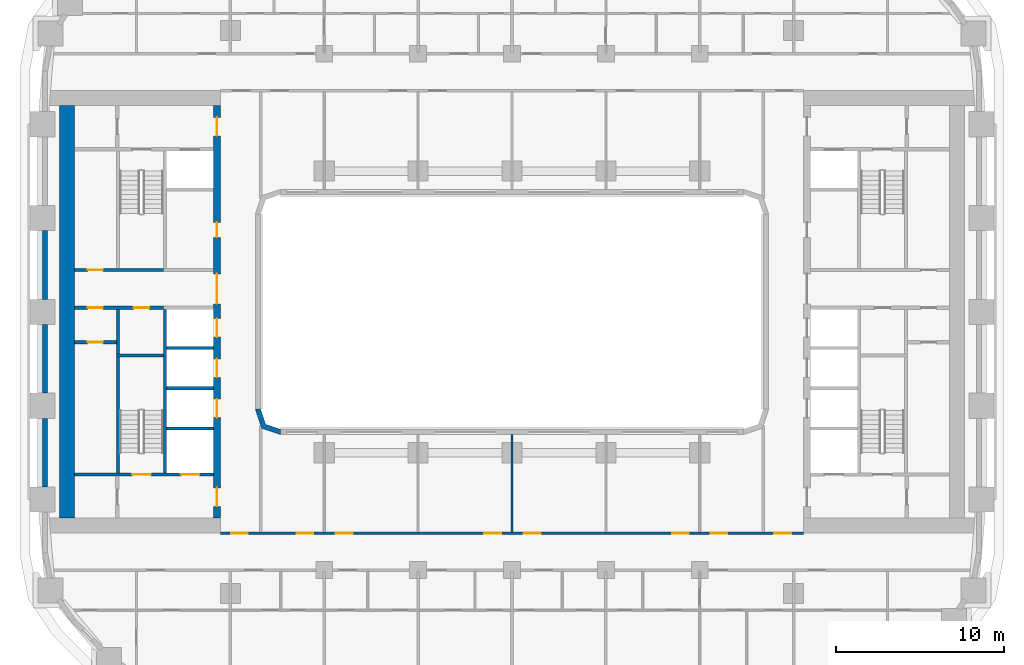
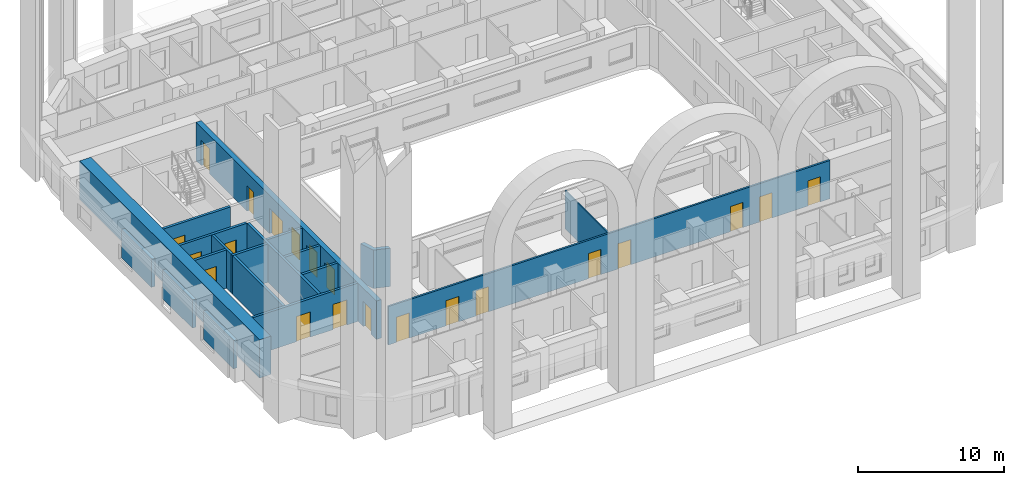
# One storey, part 4 of 21: 21 doors, 19 walls, 21 openings.
"""IFC4 building model written with IfcOpenShell, lengths in metres."""

from ifc_helpers import new_model, si_unit, direction, frame, frame_2d, origin, place, context, subcontext, project, spatial, polyline, rectangle, outline, extrude, material, layer, layer_set, type_object, element, fill, save


model = new_model("IFC4")

# Units and contexts
model_context = context("Model", 3, precision=1e-05, world=origin(), true_north=direction((0.0, 1.0)))
body_context = subcontext(model_context, "Body", "Model", "MODEL_VIEW")
ifc_project = project(units=[si_unit("LENGTHUNIT", "METRE"), si_unit("AREAUNIT", "SQUARE_METRE"), si_unit("VOLUMEUNIT", "CUBIC_METRE"), si_unit("PLANEANGLEUNIT", "RADIAN"), si_unit("MASSUNIT", "GRAM", prefix="KILO")], contexts=[model_context])

# Site, building, storey
site_placement = place(None, origin())
site = spatial("IfcSite", under=ifc_project, at=site_placement, CompositionType="ELEMENT")
building_placement = place(site_placement, origin())
building = spatial("IfcBuilding", under=site, at=building_placement, Name="Kiln Ring Residences", CompositionType="ELEMENT")
storey_placement = place(building_placement, frame((0.0, 0.0, 30.5)))
storey = spatial("IfcBuildingStorey", under=building, at=storey_placement, Name="L06", CompositionType="ELEMENT", Elevation=30.5)

# Wall
ifc_material_1 = material(Name="Gypsum board on steel studs", Category="steel")
ifc_layer_1 = layer(ifc_material_1, 0.199951171875)
ifc_layer_set_1 = layer_set([ifc_layer_1], Name="CORE-PARTITION-200")
wall_type_1 = type_object("IfcWallType", Name="CORE-PARTITION-200", PredefinedType="PARTITIONING", material=ifc_layer_set_1)
wall_1_placement = place(storey_placement, frame((-23.5, -2.5, 0.0), z_axis=(0.0, 0.0, 1.0), x_axis=(0.0, 1.0, 0.0)))
element("IfcWall", 1, at=wall_1_placement, inside=storey, type_object=wall_type_1, Name="Core partition west L06 1", PredefinedType="PARTITIONING", context=body_context, shape_type="SweptSolid", body=[
    extrude(rectangle(XDim=2.64990234375, YDim=0.199951171875, at=frame_2d((1.324951171875, 0.0))), origin(), (0.0, 0.0, 1.0), 3.199951171875),
])

# Wall, openings, doors
wall_2_placement = place(storey_placement, frame((-20.800048828125, 0.25, 0.0), z_axis=(0.0, 0.0, 1.0), x_axis=(-1.0, 0.0, 0.0)))
wall_2 = element("IfcWall", 2, at=wall_2_placement, inside=storey, type_object=wall_type_1, Name="Core partition west L06 2", PredefinedType="PARTITIONING", context=body_context, shape_type="SweptSolid", body=[
    extrude(rectangle(XDim=5.300048828125, YDim=0.199951171875, at=frame_2d((2.64990234375, 0.0))), origin(), (0.0, 0.0, 1.0), 3.199951171875),
])
opening_1_placement = place(wall_2_placement, frame((0.85009765625, 0.0, 0.0)))
opening_1 = element("IfcOpeningElement", 3, at=opening_1_placement, cuts=wall_2, Name="Opening L06-CW14", PredefinedType="OPENING", context=body_context, shape_type="SweptSolid", body=[
    extrude(rectangle(XDim=0.89990234375, YDim=2.10009765625, at=frame_2d((0.449951171875, 1.050048828125))), frame((0.0, 0.10986328125, 0.0), z_axis=(0.0, -1.0, 0.0), x_axis=(1.0, 0.0, 0.0)), (0.0, 0.0, 1.0), 0.219970703125),
])
opening_2_placement = place(wall_2_placement, frame((3.60009765625, 0.0, 0.0)))
opening_2 = element("IfcOpeningElement", 4, at=opening_2_placement, cuts=wall_2, Name="Opening L06-CW16", PredefinedType="OPENING", context=body_context, shape_type="SweptSolid", body=[
    extrude(rectangle(XDim=0.89990234375, YDim=2.10009765625, at=frame_2d((0.449951171875, 1.050048828125))), frame((0.0, 0.10986328125, 0.0), z_axis=(0.0, -1.0, 0.0), x_axis=(1.0, 0.0, 0.0)), (0.0, 0.0, 1.0), 0.219970703125),
])
ifc_material_2 = material(Name="Steel door leaf", Category="steel")
door_type_1 = type_object("IfcDoorType", Name="CORE-DOOR-ROOM", OperationType="SINGLE_SWING_LEFT", PredefinedType="DOOR", material=ifc_material_2)
door_1_placement = place(opening_1_placement, origin())
door_1 = element("IfcDoor", 5, at=door_1_placement, inside=storey, type_object=door_type_1, Name="Linen store L06-CW14", OperationType="SINGLE_SWING_RIGHT", OverallHeight=2.10009765625, OverallWidth=0.89990234375, PredefinedType="DOOR", context=body_context, shape_type="SweptSolid", body=[
    extrude(rectangle(XDim=0.89990234375, YDim=2.10009765625, at=frame_2d((0.449951171875, 1.050048828125))), frame((0.0, 0.02490234375, 0.0), z_axis=(0.0, -1.0, 0.0), x_axis=(1.0, 0.0, 0.0)), (0.0, 0.0, 1.0), 0.050048828125),
])
fill(opening_1, door_1)
door_2_placement = place(opening_2_placement, origin())
door_2 = element("IfcDoor", 6, at=door_2_placement, inside=storey, type_object=door_type_1, Name="Pump and valve room L06-CW16", OperationType="SINGLE_SWING_RIGHT", OverallHeight=2.10009765625, OverallWidth=0.89990234375, PredefinedType="DOOR", context=body_context, shape_type="SweptSolid", body=[
    extrude(rectangle(XDim=0.89990234375, YDim=2.10009765625, at=frame_2d((0.449951171875, 1.050048828125))), frame((0.0, 0.02490234375, 0.0), z_axis=(0.0, -1.0, 0.0), x_axis=(1.0, 0.0, 0.0)), (0.0, 0.0, 1.0), 0.050048828125),
])
fill(opening_2, door_2)

# Wall, opening, door
wall_3_placement = place(storey_placement, frame((-23.60009765625, -1.800048828125, 0.0), z_axis=(0.0, 0.0, 1.0), x_axis=(-1.0, 0.0, 0.0)))
wall_3 = element("IfcWall", 7, at=wall_3_placement, inside=storey, type_object=wall_type_1, Name="Core partition west L06 5", PredefinedType="PARTITIONING", context=body_context, shape_type="SweptSolid", body=[
    extrude(rectangle(XDim=2.5, YDim=0.199951171875, at=frame_2d((1.25, 0.0))), origin(), (0.0, 0.0, 1.0), 3.199951171875),
])
opening_3_placement = place(wall_3_placement, frame((0.800048828125, 0.0, 0.0)))
opening_3 = element("IfcOpeningElement", 8, at=opening_3_placement, cuts=wall_3, Name="Opening L06-CW15", PredefinedType="OPENING", context=body_context, shape_type="SweptSolid", body=[
    extrude(rectangle(XDim=0.89990234375, YDim=2.10009765625, at=frame_2d((0.449951171875, 1.050048828125))), frame((0.0, 0.10986328125, 0.0), z_axis=(0.0, -1.0, 0.0), x_axis=(1.0, 0.0, 0.0)), (0.0, 0.0, 1.0), 0.219970703125),
])
door_3_placement = place(opening_3_placement, origin())
door_3 = element("IfcDoor", 9, at=door_3_placement, inside=storey, type_object=door_type_1, Name="Pump and valve room L06-CW15", OperationType="SINGLE_SWING_RIGHT", OverallHeight=2.10009765625, OverallWidth=0.89990234375, PredefinedType="DOOR", context=body_context, shape_type="SweptSolid", body=[
    extrude(rectangle(XDim=0.89990234375, YDim=2.10009765625, at=frame_2d((0.449951171875, 1.050048828125))), frame((0.0, 0.02490234375, 0.0), z_axis=(0.0, -1.0, 0.0), x_axis=(1.0, 0.0, 0.0)), (0.0, 0.0, 1.0), 0.050048828125),
])
fill(opening_3, door_3)

# Walls
ifc_material_3 = material(Name="Gypsum shaft wall system")
ifc_layer_2 = layer(ifc_material_3, 0.199951171875)
ifc_layer_set_2 = layer_set([ifc_layer_2], Name="CORE-SHAFT-WALL-200")
wall_type_2 = type_object("IfcWallType", Name="CORE-SHAFT-WALL-200", PredefinedType="PARTITIONING", material=ifc_layer_set_2)
for number, where, z_axis, x_axis, name in (
    (10, (-17.800048828125, -6.949951171875, 0.0), (0.0, 0.0, 1.0), (-1.0, 0.0, 0.0), "Core partition west L06 6"),
    (11, (-17.800048828125, -4.550048828125, 0.0), (0.0, 0.0, 1.0), (-1.0, 0.0, 0.0), "Core partition west L06 7"),
    (12, (-17.800048828125, -2.14990234375, 0.0), (0.0, 0.0, 1.0), (-1.0, 0.0, 0.0), "Core partition west L06 8"),
):
    element("IfcWall", number, at=place(storey_placement, frame(where, z_axis=z_axis, x_axis=x_axis)), inside=storey, type_object=wall_type_2, Name=name, PredefinedType="PARTITIONING", context=body_context, shape_type="SweptSolid", body=[
        extrude(rectangle(XDim=2.800048828125, YDim=0.199951171875, at=frame_2d((1.39990234375, 0.0))), origin(), (0.0, 0.0, 1.0), 3.199951171875),
    ])
ifc_material_4 = material(Name="Concrete C40/50", Category="concrete")
ifc_layer_3 = layer(ifc_material_4, 0.199951171875)
ifc_layer_set_3 = layer_set([ifc_layer_3], Name="CORE-WALL-RC200")
wall_type_3 = type_object("IfcWallType", Name="CORE-WALL-RC200", PredefinedType="SHEAR", material=ifc_layer_set_3)
wall_4_placement = place(storey_placement, frame((-20.699951171875, -9.60009765625, 0.0), z_axis=(0.0, 0.0, 1.0), x_axis=(0.0, 1.0, 0.0)))
element("IfcWall", 13, at=wall_4_placement, inside=storey, type_object=wall_type_3, Name="Core wall west L06 2", PredefinedType="SHEAR", context=body_context, shape_type="SweptSolid", body=[
    extrude(rectangle(XDim=9.75, YDim=0.199951171875, at=frame_2d((4.875, 0.0))), origin(), (0.0, 0.0, 1.0), 3.199951171875),
])

# Wall, opening, door
wall_5_placement = place(storey_placement, frame((-20.800048828125, 2.5, 0.0), z_axis=(0.0, 0.0, 1.0), x_axis=(-1.0, 0.0, 0.0)))
wall_5 = element("IfcWall", 14, at=wall_5_placement, inside=storey, type_object=wall_type_3, Name="Core wall west L06 3", PredefinedType="SHEAR", context=body_context, shape_type="SweptSolid", body=[
    extrude(rectangle(XDim=5.300048828125, YDim=0.199951171875, at=frame_2d((2.64990234375, 0.0))), origin(), (0.0, 0.0, 1.0), 3.199951171875),
])
opening_4_placement = place(wall_5_placement, frame((3.60009765625, 0.0, 0.0)))
opening_4 = element("IfcOpeningElement", 15, at=opening_4_placement, cuts=wall_5, Name="Opening L06-CW17", PredefinedType="OPENING", context=body_context, shape_type="SweptSolid", body=[
    extrude(rectangle(XDim=0.89990234375, YDim=2.10009765625, at=frame_2d((0.449951171875, 1.050048828125))), frame((0.0, 0.10986328125, 0.0), z_axis=(0.0, -1.0, 0.0), x_axis=(1.0, 0.0, 0.0)), (0.0, 0.0, 1.0), 0.219970703125),
])
door_4_placement = place(opening_4_placement, origin())
door_4 = element("IfcDoor", 16, at=door_4_placement, inside=storey, type_object=door_type_1, Name="Electrical plant room L06-CW17", OperationType="SINGLE_SWING_RIGHT", OverallHeight=2.10009765625, OverallWidth=0.89990234375, PredefinedType="DOOR", context=body_context, shape_type="SweptSolid", body=[
    extrude(rectangle(XDim=0.89990234375, YDim=2.10009765625, at=frame_2d((0.449951171875, 1.050048828125))), frame((0.0, 0.02490234375, 0.0), z_axis=(0.0, -1.0, 0.0), x_axis=(1.0, 0.0, 0.0)), (0.0, 0.0, 1.0), 0.050048828125),
])
fill(opening_4, door_4)

# Wall, openings, doors
wall_6_placement = place(storey_placement, frame((-17.800048828125, -9.699951171875, 0.0), z_axis=(0.0, 0.0, 1.0), x_axis=(-1.0, 0.0, 0.0)))
wall_6 = element("IfcWall", 17, at=wall_6_placement, inside=storey, type_object=wall_type_3, Name="Core wall west L06 8", PredefinedType="SHEAR", context=body_context, shape_type="SweptSolid", body=[
    extrude(rectangle(XDim=8.300048828125, YDim=0.199951171875, at=frame_2d((4.14990234375, 0.0))), origin(), (0.0, 0.0, 1.0), 3.199951171875),
])
opening_5_placement = place(wall_6_placement, frame((0.85009765625, 0.0, 0.0)))
opening_5 = element("IfcOpeningElement", 18, at=opening_5_placement, cuts=wall_6, Name="Opening L06-CW01", PredefinedType="OPENING", context=body_context, shape_type="SweptSolid", body=[
    extrude(rectangle(XDim=1.10009765625, YDim=2.10009765625, at=frame_2d((0.550048828125, 1.050048828125))), frame((0.0, 0.10986328125, 0.0), z_axis=(0.0, -1.0, 0.0), x_axis=(1.0, 0.0, 0.0)), (0.0, 0.0, 1.0), 0.219970703125),
])
opening_6_placement = place(wall_6_placement, frame((3.75, 0.0, 0.0)))
opening_6 = element("IfcOpeningElement", 19, at=opening_6_placement, cuts=wall_6, Name="Opening L06-CW12", PredefinedType="OPENING", context=body_context, shape_type="SweptSolid", body=[
    extrude(rectangle(XDim=1.10009765625, YDim=2.10009765625, at=frame_2d((0.550048828125, 1.050048828125))), frame((0.0, 0.10986328125, 0.0), z_axis=(0.0, -1.0, 0.0), x_axis=(1.0, 0.0, 0.0)), (0.0, 0.0, 1.0), 0.219970703125),
])
ifc_material_5 = material(Name="Steel door leaf", Category="steel")
door_type_2 = type_object("IfcDoorType", Name="CORE-DOOR-LD", OperationType="DOUBLE_DOOR_SLIDING", PredefinedType="DOOR", material=ifc_material_5)
door_5_placement = place(opening_5_placement, origin())
door_5 = element("IfcDoor", 20, at=door_5_placement, inside=storey, type_object=door_type_2, Name="LD W-SV L06-CW01", OperationType="DOUBLE_DOOR_SLIDING", OverallHeight=2.10009765625, OverallWidth=1.10009765625, PredefinedType="DOOR", context=body_context, shape_type="SweptSolid", body=[
    extrude(rectangle(XDim=1.10009765625, YDim=2.10009765625, at=frame_2d((0.550048828125, 1.050048828125))), frame((0.0, 0.02490234375, 0.0), z_axis=(0.0, -1.0, 0.0), x_axis=(1.0, 0.0, 0.0)), (0.0, 0.0, 1.0), 0.050048828125),
])
fill(opening_5, door_5)
ifc_material_6 = material(Name="Steel door leaf", Category="steel")
door_type_3 = type_object("IfcDoorType", Name="CORE-DOOR-STAIR", OperationType="SINGLE_SWING_LEFT", PredefinedType="DOOR", material=ifc_material_6)
door_6_placement = place(opening_6_placement, origin())
door_6 = element("IfcDoor", 21, at=door_6_placement, inside=storey, type_object=door_type_3, Name="Stair W-STS L06-CW12", OperationType="SINGLE_SWING_LEFT", OverallHeight=2.10009765625, OverallWidth=1.10009765625, PredefinedType="DOOR", context=body_context, shape_type="SweptSolid", body=[
    extrude(rectangle(XDim=1.10009765625, YDim=2.10009765625, at=frame_2d((0.550048828125, 1.050048828125))), frame((0.0, 0.02490234375, 0.0), z_axis=(0.0, -1.0, 0.0), x_axis=(1.0, 0.0, 0.0)), (0.0, 0.0, 1.0), 0.050048828125),
])
fill(opening_6, door_6)

# Walls
wall_7_placement = place(storey_placement, frame((-23.5, -9.60009765625, 0.0), z_axis=(0.0, 0.0, 1.0), x_axis=(0.0, 1.0, 0.0)))
element("IfcWall", 22, at=wall_7_placement, inside=storey, type_object=wall_type_3, Name="Core wall west L06 11", PredefinedType="SHEAR", context=body_context, shape_type="SweptSolid", body=[
    extrude(rectangle(XDim=6.900146484375, YDim=0.199951171875, at=frame_2d((3.4501953125, 0.0))), origin(), (0.0, 0.0, 1.0), 3.199951171875),
])
wall_8_placement = place(storey_placement, frame((-20.800048828125, -2.60009765625, 0.0), z_axis=(0.0, 0.0, 1.0), x_axis=(-1.0, 0.0, 0.0)))
element("IfcWall", 23, at=wall_8_placement, inside=storey, type_object=wall_type_3, Name="Core wall west L06 12", PredefinedType="SHEAR", context=body_context, shape_type="SweptSolid", body=[
    extrude(rectangle(XDim=2.800048828125, YDim=0.199951171875, at=frame_2d((1.39990234375, 0.0))), origin(), (0.0, 0.0, 1.0), 3.199951171875),
])

# Wall, openings, doors
ifc_material_7 = material(Name="Concrete C60/75", Category="concrete")
ifc_layer_4 = layer(ifc_material_7, 0.39990234375)
ifc_layer_set_4 = layer_set([ifc_layer_4], Name="CORE-WALL-RC400")
wall_type_4 = type_object("IfcWallType", Name="CORE-WALL-RC400", PredefinedType="SHEAR", material=ifc_layer_set_4)
wall_9_placement = place(storey_placement, frame((-17.60009765625, -12.300048828125, 0.0), z_axis=(0.0, 0.0, 1.0), x_axis=(0.0, 1.0, 0.0)))
wall_9 = element("IfcWall", 24, at=wall_9_placement, inside=storey, type_object=wall_type_4, Name="Core wall west L06 6", PredefinedType="SHEAR", context=body_context, shape_type="SweptSolid", body=[
    extrude(rectangle(XDim=24.60009765625, YDim=0.39990234375, at=frame_2d((12.300048828125, 0.0))), origin(), (0.0, 0.0, 1.0), 3.199951171875),
])
opening_7_placement = place(wall_9_placement, frame((6.0, 0.0, 0.0)))
opening_7 = element("IfcOpeningElement", 25, at=opening_7_placement, cuts=wall_9, Name="Opening L06-CW02", PredefinedType="OPENING", context=body_context, shape_type="SweptSolid", body=[
    extrude(rectangle(XDim=1.10009765625, YDim=2.10009765625, at=frame_2d((0.550048828125, 1.050048828125))), frame((0.0, 0.2099609375, 0.0), z_axis=(0.0, -1.0, 0.0), x_axis=(1.0, 0.0, 0.0)), (0.0, 0.0, 1.0), 0.419921875),
])
opening_8_placement = place(wall_9_placement, frame((8.39990234375, 0.0, 0.0)))
opening_8 = element("IfcOpeningElement", 26, at=opening_8_placement, cuts=wall_9, Name="Opening L06-CW03", PredefinedType="OPENING", context=body_context, shape_type="SweptSolid", body=[
    extrude(rectangle(XDim=1.10009765625, YDim=2.10009765625, at=frame_2d((0.550048828125, 1.050048828125))), frame((0.0, 0.2099609375, 0.0), z_axis=(0.0, -1.0, 0.0), x_axis=(1.0, 0.0, 0.0)), (0.0, 0.0, 1.0), 0.419921875),
])
opening_9_placement = place(wall_9_placement, frame((10.800048828125, 0.0, 0.0)))
opening_9 = element("IfcOpeningElement", 27, at=opening_9_placement, cuts=wall_9, Name="Opening L06-CW04", PredefinedType="OPENING", context=body_context, shape_type="SweptSolid", body=[
    extrude(rectangle(XDim=1.10009765625, YDim=2.10009765625, at=frame_2d((0.550048828125, 1.050048828125))), frame((0.0, 0.2099609375, 0.0), z_axis=(0.0, -1.0, 0.0), x_axis=(1.0, 0.0, 0.0)), (0.0, 0.0, 1.0), 0.419921875),
])
opening_10_placement = place(wall_9_placement, frame((16.75, 0.0, 0.0)))
opening_10 = element("IfcOpeningElement", 28, at=opening_10_placement, cuts=wall_9, Name="Opening L06-CW05", PredefinedType="OPENING", context=body_context, shape_type="SweptSolid", body=[
    extrude(rectangle(XDim=0.89990234375, YDim=2.10009765625, at=frame_2d((0.449951171875, 1.050048828125))), frame((0.0, 0.2099609375, 0.0), z_axis=(0.0, -1.0, 0.0), x_axis=(1.0, 0.0, 0.0)), (0.0, 0.0, 1.0), 0.419921875),
])
opening_11_placement = place(wall_9_placement, frame((22.800048828125, 0.0, 0.0)))
opening_11 = element("IfcOpeningElement", 29, at=opening_11_placement, cuts=wall_9, Name="Opening L06-CW07", PredefinedType="OPENING", context=body_context, shape_type="SweptSolid", body=[
    extrude(rectangle(XDim=1.10009765625, YDim=2.10009765625, at=frame_2d((0.550048828125, 1.050048828125))), frame((0.0, 0.2099609375, 0.0), z_axis=(0.0, -1.0, 0.0), x_axis=(1.0, 0.0, 0.0)), (0.0, 0.0, 1.0), 0.419921875),
])
opening_12_placement = place(wall_9_placement, frame((0.699951171875, 0.0, 0.0)))
opening_12 = element("IfcOpeningElement", 30, at=opening_12_placement, cuts=wall_9, Name="Opening L06-CW08", PredefinedType="OPENING", context=body_context, shape_type="SweptSolid", body=[
    extrude(rectangle(XDim=1.10009765625, YDim=2.10009765625, at=frame_2d((0.550048828125, 1.050048828125))), frame((0.0, 0.2099609375, 0.0), z_axis=(0.0, -1.0, 0.0), x_axis=(1.0, 0.0, 0.0)), (0.0, 0.0, 1.0), 0.419921875),
])
opening_13_placement = place(wall_9_placement, frame((12.77490234375, 0.0, 0.0)))
opening_13 = element("IfcOpeningElement", 31, at=opening_13_placement, cuts=wall_9, Name="Opening L06-CW13", PredefinedType="OPENING", context=body_context, shape_type="SweptSolid", body=[
    extrude(rectangle(XDim=1.800048828125, YDim=2.10009765625, at=frame_2d((0.89990234375, 1.050048828125))), frame((0.0, 0.2099609375, 0.0), z_axis=(0.0, -1.0, 0.0), x_axis=(1.0, 0.0, 0.0)), (0.0, 0.0, 1.0), 0.419921875),
])
door_7_placement = place(opening_7_placement, origin())
door_7 = element("IfcDoor", 32, at=door_7_placement, inside=storey, type_object=door_type_2, Name="LD W-L1 L06-CW02", OperationType="DOUBLE_DOOR_SLIDING", OverallHeight=2.10009765625, OverallWidth=1.10009765625, PredefinedType="DOOR", context=body_context, shape_type="SweptSolid", body=[
    extrude(rectangle(XDim=1.10009765625, YDim=2.10009765625, at=frame_2d((0.550048828125, 1.050048828125))), frame((0.0, 0.02490234375, 0.0), z_axis=(0.0, -1.0, 0.0), x_axis=(1.0, 0.0, 0.0)), (0.0, 0.0, 1.0), 0.050048828125),
])
fill(opening_7, door_7)
door_8_placement = place(opening_8_placement, origin())
door_8 = element("IfcDoor", 33, at=door_8_placement, inside=storey, type_object=door_type_2, Name="LD W-L2 L06-CW03", OperationType="DOUBLE_DOOR_SLIDING", OverallHeight=2.10009765625, OverallWidth=1.10009765625, PredefinedType="DOOR", context=body_context, shape_type="SweptSolid", body=[
    extrude(rectangle(XDim=1.10009765625, YDim=2.10009765625, at=frame_2d((0.550048828125, 1.050048828125))), frame((0.0, 0.02490234375, 0.0), z_axis=(0.0, -1.0, 0.0), x_axis=(1.0, 0.0, 0.0)), (0.0, 0.0, 1.0), 0.050048828125),
])
fill(opening_8, door_8)
door_9_placement = place(opening_9_placement, origin())
door_9 = element("IfcDoor", 34, at=door_9_placement, inside=storey, type_object=door_type_2, Name="LD W-L3 L06-CW04", OperationType="DOUBLE_DOOR_SLIDING", OverallHeight=2.10009765625, OverallWidth=1.10009765625, PredefinedType="DOOR", context=body_context, shape_type="SweptSolid", body=[
    extrude(rectangle(XDim=1.10009765625, YDim=2.10009765625, at=frame_2d((0.550048828125, 1.050048828125))), frame((0.0, 0.02490234375, 0.0), z_axis=(0.0, -1.0, 0.0), x_axis=(1.0, 0.0, 0.0)), (0.0, 0.0, 1.0), 0.050048828125),
])
fill(opening_9, door_9)
ifc_material_8 = material(Name="Steel door leaf", Category="steel")
door_type_4 = type_object("IfcDoorType", Name="CORE-DOOR-LOBBY", OperationType="SINGLE_SWING_LEFT", PredefinedType="DOOR", material=ifc_material_8)
door_10_placement = place(opening_11_placement, origin())
door_10 = element("IfcDoor", 35, at=door_10_placement, inside=storey, type_object=door_type_4, Name="FFL L06-CW07", OperationType="SINGLE_SWING_RIGHT", OverallHeight=2.10009765625, OverallWidth=1.10009765625, PredefinedType="DOOR", context=body_context, shape_type="SweptSolid", body=[
    extrude(rectangle(XDim=1.10009765625, YDim=2.10009765625, at=frame_2d((0.550048828125, 1.050048828125))), frame((0.0, 0.02490234375, 0.0), z_axis=(0.0, -1.0, 0.0), x_axis=(1.0, 0.0, 0.0)), (0.0, 0.0, 1.0), 0.050048828125),
])
fill(opening_11, door_10)
door_11_placement = place(opening_12_placement, origin())
door_11 = element("IfcDoor", 36, at=door_11_placement, inside=storey, type_object=door_type_4, Name="SVL L06-CW08", OperationType="SINGLE_SWING_LEFT", OverallHeight=2.10009765625, OverallWidth=1.10009765625, PredefinedType="DOOR", context=body_context, shape_type="SweptSolid", body=[
    extrude(rectangle(XDim=1.10009765625, YDim=2.10009765625, at=frame_2d((0.550048828125, 1.050048828125))), frame((0.0, 0.02490234375, 0.0), z_axis=(0.0, -1.0, 0.0), x_axis=(1.0, 0.0, 0.0)), (0.0, 0.0, 1.0), 0.050048828125),
])
fill(opening_12, door_11)
ifc_material_9 = material(Name="Steel door leaf", Category="steel")
door_type_5 = type_object("IfcDoorType", Name="CORE-DOOR-PASS", OperationType="DOUBLE_DOOR_SINGLE_SWING", PredefinedType="DOOR", material=ifc_material_9)
door_12_placement = place(opening_13_placement, origin())
door_12 = element("IfcDoor", 37, at=door_12_placement, inside=storey, type_object=door_type_5, Name="Core passage L06-CW13", OperationType="DOUBLE_DOOR_SINGLE_SWING", OverallHeight=2.10009765625, OverallWidth=1.800048828125, PredefinedType="DOOR", context=body_context, shape_type="SweptSolid", body=[
    extrude(rectangle(XDim=1.800048828125, YDim=2.10009765625, at=frame_2d((0.89990234375, 1.050048828125))), frame((0.0, 0.02490234375, 0.0), z_axis=(0.0, -1.0, 0.0), x_axis=(1.0, 0.0, 0.0)), (0.0, 0.0, 1.0), 0.050048828125),
])
fill(opening_13, door_12)
door_13_placement = place(opening_10_placement, origin())
door_13 = element("IfcDoor", 38, at=door_13_placement, inside=storey, type_object=door_type_1, Name="Goods store L06-CW05", OperationType="SINGLE_SWING_LEFT", OverallHeight=2.10009765625, OverallWidth=0.89990234375, PredefinedType="DOOR", context=body_context, shape_type="SweptSolid", body=[
    extrude(rectangle(XDim=0.89990234375, YDim=2.10009765625, at=frame_2d((0.449951171875, 1.050048828125))), frame((0.0, 0.02490234375, 0.0), z_axis=(0.0, -1.0, 0.0), x_axis=(1.0, 0.0, 0.0)), (0.0, 0.0, 1.0), 0.050048828125),
])
fill(opening_10, door_13)

# Walls
ifc_material_10 = material(Name="Concrete C60/75", Category="concrete")
ifc_layer_5 = layer(ifc_material_10, 0.89990234375)
ifc_layer_set_5 = layer_set([ifc_layer_5], Name="CORE-WALL-RC900")
wall_type_5 = type_object("IfcWallType", Name="CORE-WALL-RC900", PredefinedType="SHEAR", material=ifc_layer_set_5)
wall_10_placement = place(storey_placement, frame((-26.550048828125, -12.300048828125, 0.0), z_axis=(0.0, 0.0, 1.0), x_axis=(0.0, 1.0, 0.0)))
element("IfcWall", 39, at=wall_10_placement, inside=storey, type_object=wall_type_5, Name="Core wall west L06 7", PredefinedType="SHEAR", context=body_context, shape_type="SweptSolid", body=[
    extrude(rectangle(XDim=24.60009765625, YDim=0.89990234375, at=frame_2d((12.300048828125, 0.0))), origin(), (0.0, 0.0, 1.0), 3.199951171875),
])
ifc_material_11 = material(Name="Brick masonry, dark clay brick", Category="masonry")
ifc_layer_6 = layer(ifc_material_11, 0.300048828125)
ifc_layer_set_6 = layer_set([ifc_layer_6], Name="EW-300 BRICK WALL")
wall_type_6 = type_object("IfcWallType", Name="EW-300 BRICK WALL", PredefinedType="SOLIDWALL", material=ifc_layer_set_6)
for number, where, z_axis, x_axis, name in (
    (40, (-27.85009765625, 4.85009765625, 0.0), (0.0, 0.0, 1.0), (0.0, -1.0, 0.0), "Facade wall L06 43"),
    (41, (-27.85009765625, -0.75, 0.0), (0.0, 0.0, 1.0), (0.0, -1.0, 0.0), "Facade wall L06 44"),
):
    element("IfcWall", number, at=place(storey_placement, frame(where, z_axis=z_axis, x_axis=x_axis)), inside=storey, type_object=wall_type_6, Name=name, PredefinedType="SOLIDWALL", context=body_context, shape_type="SweptSolid", body=[
        extrude(rectangle(XDim=4.10009765625, YDim=0.300048828125, at=frame_2d((2.050048828125, 0.0))), origin(), (0.0, 0.0, 1.0), 2.35009765625),
    ])
wall_11_placement = place(storey_placement, frame((-27.85009765625, -6.35009765625, 0.0), z_axis=(0.0, 0.0, 1.0), x_axis=(0.0, -1.0, 0.0)))
element("IfcWall", 42, at=wall_11_placement, inside=storey, type_object=wall_type_6, Name="Facade wall L06 45", PredefinedType="SOLIDWALL", context=body_context, shape_type="SweptSolid", body=[
    extrude(rectangle(XDim=4.099853515625, YDim=0.300048828125, at=frame_2d((2.0498046875, 0.0))), origin(), (0.0, 0.0, 1.0), 2.35009765625),
])
wall_12_placement = place(storey_placement, origin())
element("IfcWall", 43, at=wall_12_placement, inside=storey, type_object=wall_type_6, Name="Corner wall L06 4", PredefinedType="SOLIDWALL", context=body_context, shape_type="SweptSolid", body=[
    extrude(outline(polyline([(-14.937255859375, -6.937255859375), (-13.8486328125, -7.300048828125), (-13.800048828125, -7.300048828125), (-13.800048828125, -7.0), (-14.699951171875, -6.699951171875), (-15.0, -5.800048828125), (-15.300048828125, -5.800048828125), (-15.300048828125, -5.8486328125), (-14.937255859375, -6.937255859375)])), origin(), (0.0, 0.0, 1.0), 3.199951171875),
])
ifc_material_12 = material(Name="Gypsum board on steel studs", Category="steel")
ifc_layer_7 = layer(ifc_material_12, 0.10009765625)
ifc_layer_set_7 = layer_set([ifc_layer_7], Name="PARTITION-100")
wall_type_7 = type_object("IfcWallType", Name="PARTITION-100", PredefinedType="PARTITIONING", material=ifc_layer_set_7)
wall_13_placement = place(storey_placement, frame((0.0, -13.125, 0.0), z_axis=(0.0, 0.0, 1.0), x_axis=(0.0, 1.0, 0.0)))
element("IfcWall", 44, at=wall_13_placement, inside=storey, type_object=wall_type_7, Name="Partition 034", PredefinedType="PARTITIONING", context=body_context, shape_type="SweptSolid", body=[
    extrude(rectangle(XDim=5.804931640625, YDim=0.10009765625, at=frame_2d((2.90234375, 0.0))), origin(), (0.0, 0.0, 1.0), 3.199951171875),
])

# Wall, openings, doors
ifc_material_13 = material(Name="Brick masonry partition", Category="masonry")
ifc_layer_8 = layer(ifc_material_13, 0.14990234375)
ifc_layer_set_8 = layer_set([ifc_layer_8], Name="PARTITION-150-ei60")
wall_type_8 = type_object("IfcWallType", Name="PARTITION-150-ei60", PredefinedType="PARTITIONING", material=ifc_layer_set_8)
wall_14_placement = place(storey_placement, frame((-17.39990234375, -13.199951171875, 0.0), z_axis=(0.0, 0.0, 1.0), x_axis=(1.0, 0.0, 0.0)))
wall_14 = element("IfcWall", 45, at=wall_14_placement, inside=storey, type_object=wall_type_8, Name="Partition 002", PredefinedType="PARTITIONING", context=body_context, shape_type="SweptSolid", body=[
    extrude(rectangle(XDim=34.7998046875, YDim=0.14990234375, at=frame_2d((17.39990234375, 0.0))), origin(), (0.0, 0.0, 1.0), 3.199951171875),
])
opening_14_placement = place(wall_14_placement, frame((0.64990234375, 0.0, 0.0)))
opening_14 = element("IfcOpeningElement", 46, at=opening_14_placement, cuts=wall_14, Name="Opening L06-D003", PredefinedType="OPENING", context=body_context, shape_type="SweptSolid", body=[
    extrude(rectangle(XDim=1.0, YDim=2.10009765625, at=frame_2d((0.5, 1.050048828125))), frame((0.0, 0.0849609375, 0.0), z_axis=(0.0, -1.0, 0.0), x_axis=(1.0, 0.0, 0.0)), (0.0, 0.0, 1.0), 0.169921875),
])
opening_15_placement = place(wall_14_placement, frame((33.050048828125, 0.0, 0.0)))
opening_15 = element("IfcOpeningElement", 47, at=opening_15_placement, cuts=wall_14, Name="Opening L06-D004", PredefinedType="OPENING", context=body_context, shape_type="SweptSolid", body=[
    extrude(rectangle(XDim=1.0, YDim=2.10009765625, at=frame_2d((0.5, 1.050048828125))), frame((0.0, 0.0849609375, 0.0), z_axis=(0.0, -1.0, 0.0), x_axis=(1.0, 0.0, 0.0)), (0.0, 0.0, 1.0), 0.169921875),
])
opening_16_placement = place(wall_14_placement, frame((4.550048828125, 0.0, 0.0)))
opening_16 = element("IfcOpeningElement", 48, at=opening_16_placement, cuts=wall_14, Name="Opening L06-D037", PredefinedType="OPENING", context=body_context, shape_type="SweptSolid", body=[
    extrude(rectangle(XDim=1.0, YDim=2.10009765625, at=frame_2d((0.5, 1.050048828125))), frame((0.0, 0.0849609375, 0.0), z_axis=(0.0, -1.0, 0.0), x_axis=(1.0, 0.0, 0.0)), (0.0, 0.0, 1.0), 0.169921875),
])
opening_17_placement = place(wall_14_placement, frame((6.89990234375, 0.0, 0.0)))
opening_17 = element("IfcOpeningElement", 49, at=opening_17_placement, cuts=wall_14, Name="Opening L06-D038", PredefinedType="OPENING", context=body_context, shape_type="SweptSolid", body=[
    extrude(rectangle(XDim=1.0, YDim=2.10009765625, at=frame_2d((0.5, 1.050048828125))), frame((0.0, 0.0849609375, 0.0), z_axis=(0.0, -1.0, 0.0), x_axis=(1.0, 0.0, 0.0)), (0.0, 0.0, 1.0), 0.169921875),
])
opening_18_placement = place(wall_14_placement, frame((15.75, 0.0, 0.0)))
opening_18 = element("IfcOpeningElement", 50, at=opening_18_placement, cuts=wall_14, Name="Opening L06-D039", PredefinedType="OPENING", context=body_context, shape_type="SweptSolid", body=[
    extrude(rectangle(XDim=1.0, YDim=2.10009765625, at=frame_2d((0.5, 1.050048828125))), frame((0.0, 0.0849609375, 0.0), z_axis=(0.0, -1.0, 0.0), x_axis=(1.0, 0.0, 0.0)), (0.0, 0.0, 1.0), 0.169921875),
])
opening_19_placement = place(wall_14_placement, frame((18.10009765625, 0.0, 0.0)))
opening_19 = element("IfcOpeningElement", 51, at=opening_19_placement, cuts=wall_14, Name="Opening L06-D040", PredefinedType="OPENING", context=body_context, shape_type="SweptSolid", body=[
    extrude(rectangle(XDim=1.0, YDim=2.10009765625, at=frame_2d((0.5, 1.050048828125))), frame((0.0, 0.0849609375, 0.0), z_axis=(0.0, -1.0, 0.0), x_axis=(1.0, 0.0, 0.0)), (0.0, 0.0, 1.0), 0.169921875),
])
opening_20_placement = place(wall_14_placement, frame((26.949951171875, 0.0, 0.0)))
opening_20 = element("IfcOpeningElement", 52, at=opening_20_placement, cuts=wall_14, Name="Opening L06-D041", PredefinedType="OPENING", context=body_context, shape_type="SweptSolid", body=[
    extrude(rectangle(XDim=1.0, YDim=2.10009765625, at=frame_2d((0.5, 1.050048828125))), frame((0.0, 0.0849609375, 0.0), z_axis=(0.0, -1.0, 0.0), x_axis=(1.0, 0.0, 0.0)), (0.0, 0.0, 1.0), 0.169921875),
])
opening_21_placement = place(wall_14_placement, frame((29.25, 0.0, 0.0)))
opening_21 = element("IfcOpeningElement", 53, at=opening_21_placement, cuts=wall_14, Name="Opening L06-D042", PredefinedType="OPENING", context=body_context, shape_type="SweptSolid", body=[
    extrude(rectangle(XDim=1.0, YDim=2.10009765625, at=frame_2d((0.5, 1.050048828125))), frame((0.0, 0.0849609375, 0.0), z_axis=(0.0, -1.0, 0.0), x_axis=(1.0, 0.0, 0.0)), (0.0, 0.0, 1.0), 0.169921875),
])
ifc_material_14 = material(Name="Steel faced fire door leaf", Category="steel")
door_type_6 = type_object("IfcDoorType", Name="FLAT-DOOR-1000-FR", OperationType="SINGLE_SWING_LEFT", PredefinedType="DOOR", material=ifc_material_14)
door_14_placement = place(opening_14_placement, origin())
door_14 = element("IfcDoor", 54, at=door_14_placement, inside=storey, type_object=door_type_6, Name="Door L06-D003", OperationType="SINGLE_SWING_RIGHT", OverallHeight=2.10009765625, OverallWidth=1.0, PredefinedType="DOOR", context=body_context, shape_type="SweptSolid", body=[
    extrude(rectangle(XDim=1.0, YDim=2.10009765625, at=frame_2d((0.5, 1.050048828125))), frame((0.0, 0.02490234375, 0.0), z_axis=(0.0, -1.0, 0.0), x_axis=(1.0, 0.0, 0.0)), (0.0, 0.0, 1.0), 0.050048828125),
])
fill(opening_14, door_14)
door_15_placement = place(opening_15_placement, origin())
door_15 = element("IfcDoor", 55, at=door_15_placement, inside=storey, type_object=door_type_6, Name="Door L06-D004", OperationType="SINGLE_SWING_LEFT", OverallHeight=2.10009765625, OverallWidth=1.0, PredefinedType="DOOR", context=body_context, shape_type="SweptSolid", body=[
    extrude(rectangle(XDim=1.0, YDim=2.10009765625, at=frame_2d((0.5, 1.050048828125))), frame((0.0, 0.02490234375, 0.0), z_axis=(0.0, -1.0, 0.0), x_axis=(1.0, 0.0, 0.0)), (0.0, 0.0, 1.0), 0.050048828125),
])
fill(opening_15, door_15)
door_16_placement = place(opening_16_placement, origin())
door_16 = element("IfcDoor", 56, at=door_16_placement, inside=storey, type_object=door_type_6, Name="Door L06-D037", OperationType="SINGLE_SWING_LEFT", OverallHeight=2.10009765625, OverallWidth=1.0, PredefinedType="DOOR", context=body_context, shape_type="SweptSolid", body=[
    extrude(rectangle(XDim=1.0, YDim=2.10009765625, at=frame_2d((0.5, 1.050048828125))), frame((0.0, 0.02490234375, 0.0), z_axis=(0.0, -1.0, 0.0), x_axis=(1.0, 0.0, 0.0)), (0.0, 0.0, 1.0), 0.050048828125),
])
fill(opening_16, door_16)
door_17_placement = place(opening_17_placement, origin())
door_17 = element("IfcDoor", 57, at=door_17_placement, inside=storey, type_object=door_type_6, Name="Door L06-D038", OperationType="SINGLE_SWING_RIGHT", OverallHeight=2.10009765625, OverallWidth=1.0, PredefinedType="DOOR", context=body_context, shape_type="SweptSolid", body=[
    extrude(rectangle(XDim=1.0, YDim=2.10009765625, at=frame_2d((0.5, 1.050048828125))), frame((0.0, 0.02490234375, 0.0), z_axis=(0.0, -1.0, 0.0), x_axis=(1.0, 0.0, 0.0)), (0.0, 0.0, 1.0), 0.050048828125),
])
fill(opening_17, door_17)
door_18_placement = place(opening_18_placement, origin())
door_18 = element("IfcDoor", 58, at=door_18_placement, inside=storey, type_object=door_type_6, Name="Door L06-D039", OperationType="SINGLE_SWING_LEFT", OverallHeight=2.10009765625, OverallWidth=1.0, PredefinedType="DOOR", context=body_context, shape_type="SweptSolid", body=[
    extrude(rectangle(XDim=1.0, YDim=2.10009765625, at=frame_2d((0.5, 1.050048828125))), frame((0.0, 0.02490234375, 0.0), z_axis=(0.0, -1.0, 0.0), x_axis=(1.0, 0.0, 0.0)), (0.0, 0.0, 1.0), 0.050048828125),
])
fill(opening_18, door_18)
door_19_placement = place(opening_19_placement, origin())
door_19 = element("IfcDoor", 59, at=door_19_placement, inside=storey, type_object=door_type_6, Name="Door L06-D040", OperationType="SINGLE_SWING_RIGHT", OverallHeight=2.10009765625, OverallWidth=1.0, PredefinedType="DOOR", context=body_context, shape_type="SweptSolid", body=[
    extrude(rectangle(XDim=1.0, YDim=2.10009765625, at=frame_2d((0.5, 1.050048828125))), frame((0.0, 0.02490234375, 0.0), z_axis=(0.0, -1.0, 0.0), x_axis=(1.0, 0.0, 0.0)), (0.0, 0.0, 1.0), 0.050048828125),
])
fill(opening_19, door_19)
door_20_placement = place(opening_20_placement, origin())
door_20 = element("IfcDoor", 60, at=door_20_placement, inside=storey, type_object=door_type_6, Name="Door L06-D041", OperationType="SINGLE_SWING_LEFT", OverallHeight=2.10009765625, OverallWidth=1.0, PredefinedType="DOOR", context=body_context, shape_type="SweptSolid", body=[
    extrude(rectangle(XDim=1.0, YDim=2.10009765625, at=frame_2d((0.5, 1.050048828125))), frame((0.0, 0.02490234375, 0.0), z_axis=(0.0, -1.0, 0.0), x_axis=(1.0, 0.0, 0.0)), (0.0, 0.0, 1.0), 0.050048828125),
])
fill(opening_20, door_20)
door_21_placement = place(opening_21_placement, origin())
door_21 = element("IfcDoor", 61, at=door_21_placement, inside=storey, type_object=door_type_6, Name="Door L06-D042", OperationType="SINGLE_SWING_RIGHT", OverallHeight=2.10009765625, OverallWidth=1.0, PredefinedType="DOOR", context=body_context, shape_type="SweptSolid", body=[
    extrude(rectangle(XDim=1.0, YDim=2.10009765625, at=frame_2d((0.5, 1.050048828125))), frame((0.0, 0.02490234375, 0.0), z_axis=(0.0, -1.0, 0.0), x_axis=(1.0, 0.0, 0.0)), (0.0, 0.0, 1.0), 0.050048828125),
])
fill(opening_21, door_21)

save(model, "model.ifc")
